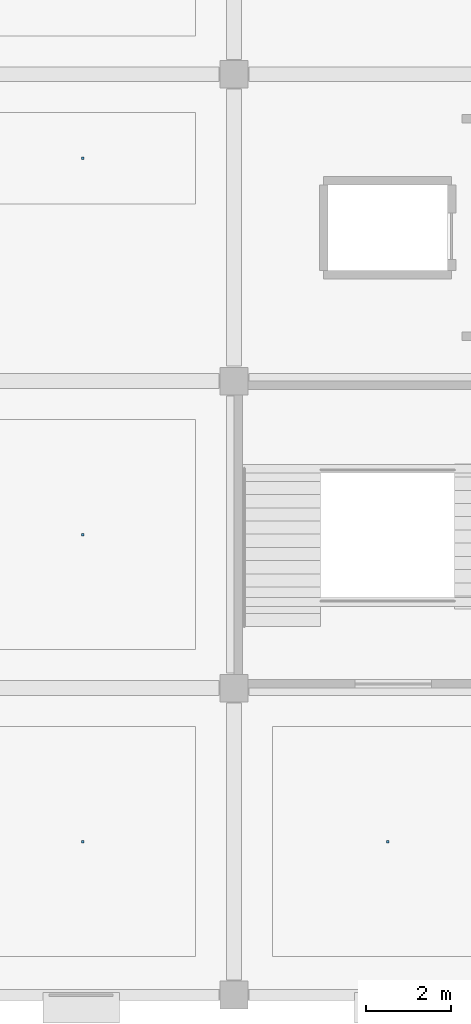
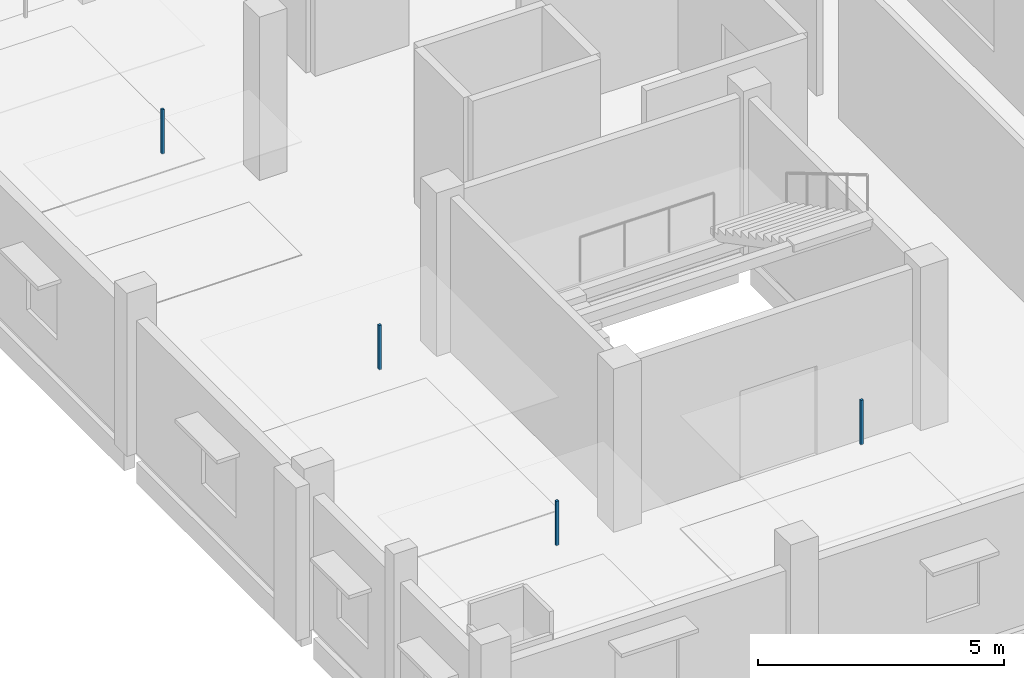
# One storey, part 47 of 59: 4 discrete accessories.
"""IFC4 building model written with IfcOpenShell, lengths in metres."""

from ifc_helpers import new_model, si_unit, direction, frame, origin, origin_2d, place, context, subcontext, project, spatial, rectangle, extrude, material, type_object, element, save


model = new_model("IFC4")

# Units and contexts
model_context = context("Model", 3, precision=1e-05, world=origin(), true_north=direction((0.0, 1.0)))
body_context = subcontext(model_context, "Body", "Model", "MODEL_VIEW")
ifc_project = project(units=[si_unit("LENGTHUNIT", "METRE"), si_unit("AREAUNIT", "SQUARE_METRE"), si_unit("VOLUMEUNIT", "CUBIC_METRE"), si_unit("PLANEANGLEUNIT", "RADIAN"), si_unit("MASSUNIT", "GRAM", prefix="KILO")], contexts=[model_context])

# Site, building, storey
site_placement = place(None, origin())
site = spatial("IfcSite", under=ifc_project, at=site_placement, CompositionType="ELEMENT")
building_placement = place(site_placement, origin())
building = spatial("IfcBuilding", under=site, at=building_placement, Name="Kangsadwip Square Police Headquarters", CompositionType="ELEMENT")
storey_placement = place(building_placement, frame((0.0, 0.0, 21.60009765625)))
storey = spatial("IfcBuildingStorey", under=building, at=storey_placement, Name="L05", CompositionType="ELEMENT", Elevation=21.60009765625)

# Discrete accessories
ifc_material = material(Name="Structural steel IS 2062 E350 (Grade 350, 350 MPa)", Category="steel")
discrete_accessory_type = type_object("IfcDiscreteAccessoryType", Name="VeilOutriggerBracket", PredefinedType="BRACKET", material=ifc_material)
for number, where, z_axis, x_axis, name in (
    (1, (3.64990234375, 39.60009765625, 2.809814453125), (0.0, 0.0, 1.0), (1.0, 0.0, 0.0), "Ceiling Suspension Hanger L05-136"),
    (2, (10.800048828125, 39.60009765625, 2.809814453125), (0.0, 0.0, 1.0), (1.0, 0.0, 0.0), "Ceiling Suspension Hanger L05-137"),
    (3, (3.64990234375, 46.800048828125, 2.809814453125), (0.0, 0.0, 1.0), (1.0, 0.0, 0.0), "Ceiling Suspension Hanger L05-138"),
    (4, (3.64990234375, 55.625, 2.809814453125), (0.0, 0.0, 1.0), (1.0, 0.0, 0.0), "Ceiling Suspension Hanger L05-139"),
):
    element("IfcDiscreteAccessory", number, at=place(storey_placement, frame(where, z_axis=z_axis, x_axis=x_axis)), inside=storey, type_object=discrete_accessory_type, Name=name, PredefinedType="BRACKET", context=body_context, shape_type="SweptSolid", body=[
        extrude(rectangle(XDim=0.06005859375, YDim=0.06005859375, at=origin_2d()), origin(), (0.0, 0.0, 1.0), 1.10009765625),
    ])

save(model, "model.ifc")
